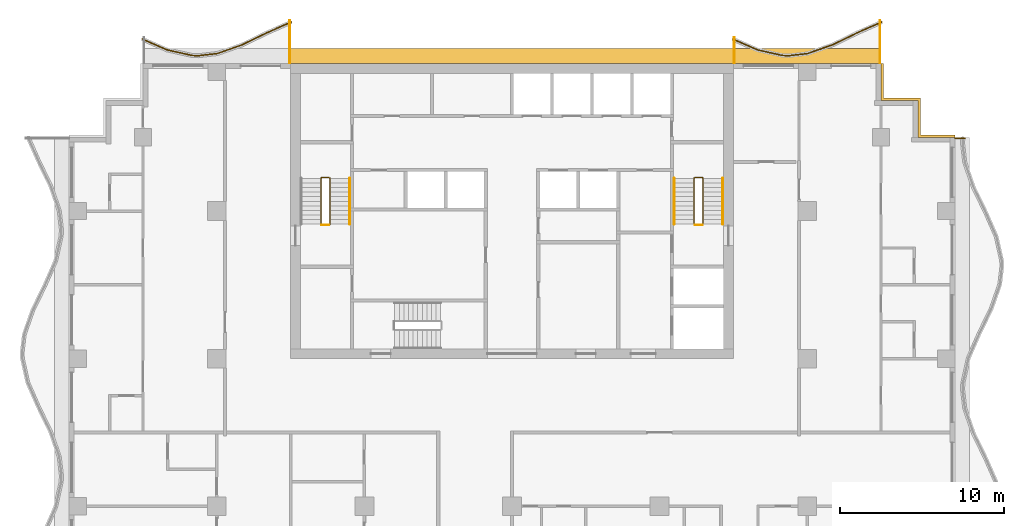
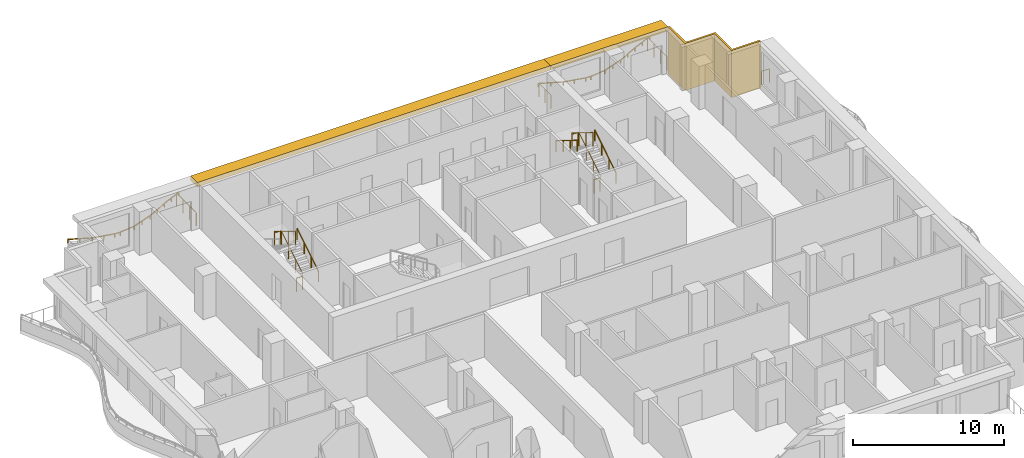
# One storey, part 11 of 11: 13 railings, 3 shading devices.
"""IFC4 building model written with IfcOpenShell, lengths in metres."""

from ifc_helpers import new_model, si_unit, direction, frame, origin, origin_2d, place, context, subcontext, project, spatial, polyline, rectangle, circle, outline, extrude, material, layer, layer_set, type_object, element, save


model = new_model("IFC4")

# Units and contexts
model_context = context("Model", 3, precision=1e-05, world=origin(), true_north=direction((0.0, 1.0)))
body_context = subcontext(model_context, "Body", "Model", "MODEL_VIEW")
ifc_project = project(units=[si_unit("LENGTHUNIT", "METRE"), si_unit("AREAUNIT", "SQUARE_METRE"), si_unit("VOLUMEUNIT", "CUBIC_METRE"), si_unit("PLANEANGLEUNIT", "RADIAN"), si_unit("MASSUNIT", "GRAM", prefix="KILO")], contexts=[model_context])

# Site, building, storey
site_placement = place(None, origin())
site = spatial("IfcSite", under=ifc_project, at=site_placement, CompositionType="ELEMENT")
building_placement = place(site_placement, origin())
building = spatial("IfcBuilding", under=site, at=building_placement, Name="Orbiselva Terraces", CompositionType="ELEMENT")
storey_placement = place(building_placement, frame((0.0, 0.0, 192.0)))
storey = spatial("IfcBuildingStorey", under=building, at=storey_placement, Name="L48", CompositionType="ELEMENT", Elevation=192.0)

# Railings
ifc_material_1 = material(Name="Stainless steel", Category="steel")
railing_type_1 = type_object("IfcRailingType", Name="CORE-GUARD-1100", PredefinedType="GUARDRAIL", material=ifc_material_1)
railing_1_placement = place(storey_placement, frame((-11.1, 12.7, 0.172727)))
element("IfcRailing", 1, at=railing_1_placement, inside=storey, type_object=railing_type_1, Name="L48 S1 stair guard 1", PredefinedType="GUARDRAIL", context=body_context, shape_type="SweptSolid", body=[
    extrude(circle(Radius=0.024, at=origin_2d()), frame((0.0, 0.0, 1.081), z_axis=(0.0, 0.851088519012, 0.52502222125), x_axis=(-1.0, 0.0, 0.0)), (0.0, 0.0, 1.0), 3.289905),
    extrude(circle(Radius=0.024, at=origin_2d()), frame((0.0, 2.8, 2.808273), z_axis=(-0.707106781187, 0.707106781187, 0.0), x_axis=(-0.707106781187, -0.707106781187, 0.0)), (0.0, 0.0, 1.0), 0.070711),
    extrude(circle(Radius=0.024, at=origin_2d()), frame((-0.05, 2.85, 2.808273), z_axis=(-1.0, 0.0, 0.0), x_axis=(0.0, -1.0, 0.0)), (0.0, 0.0, 1.0), 0.45),
    extrude(circle(Radius=0.024, at=origin_2d()), frame((-0.5, 2.85, 2.808273), z_axis=(-0.267894925557, -0.267894925557, 0.925453736133), x_axis=(0.707106781187, -0.707106781187, 0.0)), (0.0, 0.0, 1.0), 0.18664),
    extrude(circle(Radius=0.024, at=origin_2d()), frame((-0.55, 2.8, 2.981), z_axis=(0.0, -0.851088519012, 0.52502222125), x_axis=(1.0, 0.0, 0.0)), (0.0, 0.0, 1.0), 3.289905),
    extrude(circle(Radius=0.021, at=origin_2d()), origin(), (0.0, 0.0, 1.0), 1.057),
    extrude(circle(Radius=0.021, at=origin_2d()), frame((0.0, 0.933333, 0.575758)), (0.0, 0.0, 1.0), 1.057),
    extrude(circle(Radius=0.021, at=origin_2d()), frame((0.0, 1.866667, 1.151515)), (0.0, 0.0, 1.0), 1.057),
    extrude(circle(Radius=0.021, at=origin_2d()), frame((0.0, 2.8, 1.727273)), (0.0, 0.0, 1.0), 1.057),
    extrude(circle(Radius=0.021, at=origin_2d()), frame((-0.05, 2.85, 1.727273)), (0.0, 0.0, 1.0), 1.057),
    extrude(circle(Radius=0.021, at=origin_2d()), frame((-0.5, 2.85, 1.727273)), (0.0, 0.0, 1.0), 1.057),
    extrude(circle(Radius=0.021, at=origin_2d()), frame((-0.55, 2.8, 1.9)), (0.0, 0.0, 1.0), 1.057),
    extrude(circle(Radius=0.021, at=origin_2d()), frame((-0.55, 1.866667, 2.475758)), (0.0, 0.0, 1.0), 1.057),
    extrude(circle(Radius=0.021, at=origin_2d()), frame((-0.55, 0.933333, 3.051515)), (0.0, 0.0, 1.0), 1.057),
    extrude(circle(Radius=0.021, at=origin_2d()), frame((-0.55, 0.0, 3.627273)), (0.0, 0.0, 1.0), 1.057),
])
railing_2_placement = place(storey_placement, frame((-11.15, 12.65, 0.0)))
element("IfcRailing", 2, at=railing_2_placement, inside=storey, type_object=railing_type_1, Name="L48 S1 stair guard 2", PredefinedType="GUARDRAIL", context=body_context, shape_type="SweptSolid", body=[
    extrude(circle(Radius=0.024, at=origin_2d()), frame((0.0, 0.0, 1.081), z_axis=(-1.0, 0.0, 0.0), x_axis=(0.0, -1.0, 0.0)), (0.0, 0.0, 1.0), 0.45),
    extrude(circle(Radius=0.021, at=origin_2d()), origin(), (0.0, 0.0, 1.0), 1.057),
    extrude(circle(Radius=0.021, at=origin_2d()), frame((-0.45, 0.0, 0.0)), (0.0, 0.0, 1.0), 1.057),
])
railing_3_placement = place(storey_placement, frame((11.65, 12.7, 0.172727)))
element("IfcRailing", 3, at=railing_3_placement, inside=storey, type_object=railing_type_1, Name="L48 S2 stair guard 1", PredefinedType="GUARDRAIL", context=body_context, shape_type="SweptSolid", body=[
    extrude(circle(Radius=0.024, at=origin_2d()), frame((0.0, 0.0, 1.081), z_axis=(0.0, 0.851088519012, 0.52502222125), x_axis=(-1.0, 0.0, 0.0)), (0.0, 0.0, 1.0), 3.289905),
    extrude(circle(Radius=0.024, at=origin_2d()), frame((0.0, 2.8, 2.808273), z_axis=(-0.707106781187, 0.707106781187, 0.0), x_axis=(-0.707106781187, -0.707106781187, 0.0)), (0.0, 0.0, 1.0), 0.070711),
    extrude(circle(Radius=0.024, at=origin_2d()), frame((-0.05, 2.85, 2.808273), z_axis=(-1.0, 0.0, 0.0), x_axis=(0.0, -1.0, 0.0)), (0.0, 0.0, 1.0), 0.45),
    extrude(circle(Radius=0.024, at=origin_2d()), frame((-0.5, 2.85, 2.808273), z_axis=(-0.267894925557, -0.267894925557, 0.925453736133), x_axis=(0.707106781187, -0.707106781187, 0.0)), (0.0, 0.0, 1.0), 0.18664),
    extrude(circle(Radius=0.024, at=origin_2d()), frame((-0.55, 2.8, 2.981), z_axis=(0.0, -0.851088519012, 0.52502222125), x_axis=(1.0, 0.0, 0.0)), (0.0, 0.0, 1.0), 3.289905),
    extrude(circle(Radius=0.021, at=origin_2d()), origin(), (0.0, 0.0, 1.0), 1.057),
    extrude(circle(Radius=0.021, at=origin_2d()), frame((0.0, 0.933333, 0.575758)), (0.0, 0.0, 1.0), 1.057),
    extrude(circle(Radius=0.021, at=origin_2d()), frame((0.0, 1.866667, 1.151515)), (0.0, 0.0, 1.0), 1.057),
    extrude(circle(Radius=0.021, at=origin_2d()), frame((0.0, 2.8, 1.727273)), (0.0, 0.0, 1.0), 1.057),
    extrude(circle(Radius=0.021, at=origin_2d()), frame((-0.05, 2.85, 1.727273)), (0.0, 0.0, 1.0), 1.057),
    extrude(circle(Radius=0.021, at=origin_2d()), frame((-0.5, 2.85, 1.727273)), (0.0, 0.0, 1.0), 1.057),
    extrude(circle(Radius=0.021, at=origin_2d()), frame((-0.55, 2.8, 1.9)), (0.0, 0.0, 1.0), 1.057),
    extrude(circle(Radius=0.021, at=origin_2d()), frame((-0.55, 1.866667, 2.475758)), (0.0, 0.0, 1.0), 1.057),
    extrude(circle(Radius=0.021, at=origin_2d()), frame((-0.55, 0.933333, 3.051515)), (0.0, 0.0, 1.0), 1.057),
    extrude(circle(Radius=0.021, at=origin_2d()), frame((-0.55, 0.0, 3.627273)), (0.0, 0.0, 1.0), 1.057),
])
railing_4_placement = place(storey_placement, frame((11.6, 12.65, 0.0)))
element("IfcRailing", 4, at=railing_4_placement, inside=storey, type_object=railing_type_1, Name="L48 S2 stair guard 2", PredefinedType="GUARDRAIL", context=body_context, shape_type="SweptSolid", body=[
    extrude(circle(Radius=0.024, at=origin_2d()), frame((0.0, 0.0, 1.081), z_axis=(-1.0, 0.0, 0.0), x_axis=(0.0, -1.0, 0.0)), (0.0, 0.0, 1.0), 0.45),
    extrude(circle(Radius=0.021, at=origin_2d()), origin(), (0.0, 0.0, 1.0), 1.057),
    extrude(circle(Radius=0.021, at=origin_2d()), frame((-0.45, 0.0, 0.0)), (0.0, 0.0, 1.0), 1.057),
])
railing_type_2 = type_object("IfcRailingType", Name="CORE-HANDRAIL-900", PredefinedType="HANDRAIL", material=ifc_material_1)
for number, where, name in (
    (5, (-9.9, 12.7, 0.172727), "L48 S1 stair handrail 1"),
    (6, (12.85, 12.7, 0.172727), "L48 S2 stair handrail 1"),
):
    element("IfcRailing", number, at=place(storey_placement, frame(where)), inside=storey, type_object=railing_type_2, Name=name, PredefinedType="HANDRAIL", context=body_context, shape_type="SweptSolid", body=[
        extrude(circle(Radius=0.024, at=origin_2d()), frame((0.0, 0.0, 0.876), z_axis=(0.0, 0.851088519012, 0.52502222125), x_axis=(-1.0, 0.0, 0.0)), (0.0, 0.0, 1.0), 3.289905),
        extrude(circle(Radius=0.021, at=origin_2d()), origin(), (0.0, 0.0, 1.0), 0.852),
        extrude(circle(Radius=0.021, at=origin_2d()), frame((0.0, 0.933333, 0.575758)), (0.0, 0.0, 1.0), 0.852),
        extrude(circle(Radius=0.021, at=origin_2d()), frame((0.0, 1.866667, 1.151515)), (0.0, 0.0, 1.0), 0.852),
        extrude(circle(Radius=0.021, at=origin_2d()), frame((0.0, 2.8, 1.727273)), (0.0, 0.0, 1.0), 0.852),
    ])
railing_5_placement = place(storey_placement, frame((9.9, 15.5, 2.072727)))
element("IfcRailing", 7, at=railing_5_placement, inside=storey, type_object=railing_type_2, Name="L48 S2 stair handrail 2", PredefinedType="HANDRAIL", context=body_context, shape_type="SweptSolid", body=[
    extrude(circle(Radius=0.024, at=origin_2d()), frame((0.0, 0.0, 0.876), z_axis=(0.0, -0.851088519012, 0.52502222125), x_axis=(1.0, 0.0, 0.0)), (0.0, 0.0, 1.0), 3.289905),
    extrude(circle(Radius=0.021, at=origin_2d()), origin(), (0.0, 0.0, 1.0), 0.852),
    extrude(circle(Radius=0.021, at=origin_2d()), frame((0.0, -0.933333, 0.575758)), (0.0, 0.0, 1.0), 0.852),
    extrude(circle(Radius=0.021, at=origin_2d()), frame((0.0, -1.866667, 1.151515)), (0.0, 0.0, 1.0), 0.852),
    extrude(circle(Radius=0.021, at=origin_2d()), frame((0.0, -2.8, 1.727273)), (0.0, 0.0, 1.0), 0.852),
])
ifc_material_2 = material(Name="Bonded two-ply safety glass balustrade, stainless steel posts", Category="steel")
railing_type_3 = type_object("IfcRailingType", Name="ENV-BALUSTRADE-1200", PredefinedType="BALUSTRADE", material=ifc_material_2)
railing_6_placement = place(storey_placement, frame((22.550394, 25.034136, 0.9)))
element("IfcRailing", 8, at=railing_6_placement, inside=storey, type_object=railing_type_3, Name="Balcony balustrade L48 NE", PredefinedType="BALUSTRADE", context=body_context, shape_type="SweptSolid", body=[
    extrude(outline(polyline([(0.028868, 0.0), (0.014434, 0.025), (-0.014434, 0.025), (-0.028868, 0.0), (-0.014434, -0.025), (0.014434, -0.025), (0.028868, 0.0)])), frame((0.0, 0.0, 0.275), z_axis=(-0.915133498047, -0.403150940408, 0.0), x_axis=(0.403150940408, -0.915133498047, 0.0)), (0.0, 0.0, 1.0), 1.636648),
    extrude(outline(polyline([(0.028868, 0.0), (0.014434, 0.025), (-0.014434, 0.025), (-0.028868, 0.0), (-0.014434, -0.025), (0.014434, -0.025), (0.028868, 0.0)])), frame((-1.497751, -0.659816, 0.275), z_axis=(-0.898578870221, -0.438812048596, 0.0), x_axis=(0.438812048596, -0.898578870221, 0.0)), (0.0, 0.0, 1.0), 1.674225),
    extrude(outline(polyline([(0.028868, 0.0), (0.014434, 0.025), (-0.014434, 0.025), (-0.028868, 0.0), (-0.014434, -0.025), (0.014434, -0.025), (0.028868, 0.0)])), frame((-3.002174, -1.394486, 0.275), z_axis=(-0.943972332783, -0.330024597479, 0.0), x_axis=(0.330024597479, -0.943972332783, 0.0)), (0.0, 0.0, 1.0), 1.610253),
    extrude(outline(polyline([(0.028868, 0.0), (0.014434, 0.025), (-0.014434, 0.025), (-0.028868, 0.0), (-0.014434, -0.025), (0.014434, -0.025), (0.028868, 0.0)])), frame((-4.522208, -1.925909, 0.275), z_axis=(-0.993309551734, -0.115482182324, 0.0), x_axis=(0.115482182324, -0.993309551734, 0.0)), (0.0, 0.0, 1.0), 1.156135),
    extrude(outline(polyline([(0.028868, 0.0), (0.014434, 0.025), (-0.014434, 0.025), (-0.028868, 0.0), (-0.014434, -0.025), (0.014434, -0.025), (0.028868, 0.0)])), frame((-5.670608, -2.059422, 0.275), z_axis=(-0.999224734286, 0.03936915532, 0.0), x_axis=(-0.03936915532, -0.999224734286, 0.0)), (0.0, 0.0, 1.0), 0.396376),
    extrude(outline(polyline([(0.028868, 0.0), (0.014434, 0.025), (-0.014434, 0.025), (-0.028868, 0.0), (-0.014434, -0.025), (0.014434, -0.025), (0.028868, 0.0)])), frame((-6.066677, -2.043817, 0.275), z_axis=(-0.97572137947, 0.219015500924, 0.0), x_axis=(-0.219015500924, -0.97572137947, 0.0)), (0.0, 0.0, 1.0), 1.560867),
    extrude(outline(polyline([(0.028868, 0.0), (0.014434, 0.025), (-0.014434, 0.025), (-0.028868, 0.0), (-0.014434, -0.025), (0.014434, -0.025), (0.028868, 0.0)])), frame((-7.589648, -1.701963, 0.275), z_axis=(-0.915133578754, 0.403150757208, 0.0), x_axis=(-0.403150757208, -0.915133578754, 0.0)), (0.0, 0.0, 1.0), 1.651278),
    extrude(rectangle(XDim=0.05, YDim=0.05, at=origin_2d()), origin(), (0.0, 0.0, 1.0), 0.25),
    extrude(rectangle(XDim=0.05, YDim=0.05, at=origin_2d()), frame((-0.748876, -0.329908, 0.0)), (0.0, 0.0, 1.0), 0.25),
    extrude(rectangle(XDim=0.05, YDim=0.05, at=origin_2d()), frame((-1.497751, -0.659816, 0.0)), (0.0, 0.0, 1.0), 0.25),
    extrude(rectangle(XDim=0.05, YDim=0.05, at=origin_2d()), frame((-2.249963, -1.027151, 0.0)), (0.0, 0.0, 1.0), 0.25),
    extrude(rectangle(XDim=0.05, YDim=0.05, at=origin_2d()), frame((-3.002174, -1.394486, 0.0)), (0.0, 0.0, 1.0), 0.25),
    extrude(rectangle(XDim=0.05, YDim=0.05, at=origin_2d()), frame((-3.762191, -1.660198, 0.0)), (0.0, 0.0, 1.0), 0.25),
    extrude(rectangle(XDim=0.05, YDim=0.05, at=origin_2d()), frame((-4.522208, -1.925909, 0.0)), (0.0, 0.0, 1.0), 0.25),
    extrude(rectangle(XDim=0.05, YDim=0.05, at=origin_2d()), frame((-5.670608, -2.059422, 0.0)), (0.0, 0.0, 1.0), 0.25),
    extrude(rectangle(XDim=0.05, YDim=0.05, at=origin_2d()), frame((-6.066677, -2.043817, 0.0)), (0.0, 0.0, 1.0), 0.25),
    extrude(rectangle(XDim=0.05, YDim=0.05, at=origin_2d()), frame((-6.828163, -1.87289, 0.0)), (0.0, 0.0, 1.0), 0.25),
    extrude(rectangle(XDim=0.05, YDim=0.05, at=origin_2d()), frame((-7.589648, -1.701963, 0.0)), (0.0, 0.0, 1.0), 0.25),
    extrude(rectangle(XDim=0.05, YDim=0.05, at=origin_2d()), frame((-8.345218, -1.369106, 0.0)), (0.0, 0.0, 1.0), 0.25),
    extrude(rectangle(XDim=0.05, YDim=0.05, at=origin_2d()), frame((-9.100788, -1.036249, 0.0)), (0.0, 0.0, 1.0), 0.25),
])
railing_7_placement = place(storey_placement, frame((-13.449606, 25.034136, 0.9)))
element("IfcRailing", 9, at=railing_7_placement, inside=storey, type_object=railing_type_3, Name="Balcony balustrade L48 NW", PredefinedType="BALUSTRADE", context=body_context, shape_type="SweptSolid", body=[
    extrude(outline(polyline([(0.028868, 0.0), (0.014434, 0.025), (-0.014434, 0.025), (-0.028868, 0.0), (-0.014434, -0.025), (0.014434, -0.025), (0.028868, 0.0)])), frame((0.0, 0.0, 0.275), z_axis=(-0.915133498047, -0.403150940408, 0.0), x_axis=(0.403150940408, -0.915133498047, 0.0)), (0.0, 0.0, 1.0), 1.636648),
    extrude(outline(polyline([(0.028868, 0.0), (0.014434, 0.025), (-0.014434, 0.025), (-0.028868, 0.0), (-0.014434, -0.025), (0.014434, -0.025), (0.028868, 0.0)])), frame((-1.497751, -0.659816, 0.275), z_axis=(-0.898578870221, -0.438812048596, 0.0), x_axis=(0.438812048596, -0.898578870221, 0.0)), (0.0, 0.0, 1.0), 1.674225),
    extrude(outline(polyline([(0.028868, 0.0), (0.014434, 0.025), (-0.014434, 0.025), (-0.028868, 0.0), (-0.014434, -0.025), (0.014434, -0.025), (0.028868, 0.0)])), frame((-3.002174, -1.394486, 0.275), z_axis=(-0.943972332783, -0.330024597479, 0.0), x_axis=(0.330024597479, -0.943972332783, 0.0)), (0.0, 0.0, 1.0), 1.610253),
    extrude(outline(polyline([(0.028868, 0.0), (0.014434, 0.025), (-0.014434, 0.025), (-0.028868, 0.0), (-0.014434, -0.025), (0.014434, -0.025), (0.028868, 0.0)])), frame((-4.522208, -1.925909, 0.275), z_axis=(-0.993309551734, -0.115482182324, 0.0), x_axis=(0.115482182324, -0.993309551734, 0.0)), (0.0, 0.0, 1.0), 1.156135),
    extrude(outline(polyline([(0.028868, 0.0), (0.014434, 0.025), (-0.014434, 0.025), (-0.028868, 0.0), (-0.014434, -0.025), (0.014434, -0.025), (0.028868, 0.0)])), frame((-5.670608, -2.059422, 0.275), z_axis=(-0.999224734286, 0.03936915532, 0.0), x_axis=(-0.03936915532, -0.999224734286, 0.0)), (0.0, 0.0, 1.0), 0.396376),
    extrude(outline(polyline([(0.028868, 0.0), (0.014434, 0.025), (-0.014434, 0.025), (-0.028868, 0.0), (-0.014434, -0.025), (0.014434, -0.025), (0.028868, 0.0)])), frame((-6.066677, -2.043817, 0.275), z_axis=(-0.97572137947, 0.219015500924, 0.0), x_axis=(-0.219015500924, -0.97572137947, 0.0)), (0.0, 0.0, 1.0), 1.560867),
    extrude(outline(polyline([(0.028868, 0.0), (0.014434, 0.025), (-0.014434, 0.025), (-0.028868, 0.0), (-0.014434, -0.025), (0.014434, -0.025), (0.028868, 0.0)])), frame((-7.589648, -1.701963, 0.275), z_axis=(-0.915133578754, 0.403150757208, 0.0), x_axis=(-0.403150757208, -0.915133578754, 0.0)), (0.0, 0.0, 1.0), 1.651278),
    extrude(rectangle(XDim=0.05, YDim=0.05, at=origin_2d()), origin(), (0.0, 0.0, 1.0), 0.25),
    extrude(rectangle(XDim=0.05, YDim=0.05, at=origin_2d()), frame((-0.748876, -0.329908, 0.0)), (0.0, 0.0, 1.0), 0.25),
    extrude(rectangle(XDim=0.05, YDim=0.05, at=origin_2d()), frame((-1.497751, -0.659816, 0.0)), (0.0, 0.0, 1.0), 0.25),
    extrude(rectangle(XDim=0.05, YDim=0.05, at=origin_2d()), frame((-2.249963, -1.027151, 0.0)), (0.0, 0.0, 1.0), 0.25),
    extrude(rectangle(XDim=0.05, YDim=0.05, at=origin_2d()), frame((-3.002174, -1.394486, 0.0)), (0.0, 0.0, 1.0), 0.25),
    extrude(rectangle(XDim=0.05, YDim=0.05, at=origin_2d()), frame((-3.762191, -1.660198, 0.0)), (0.0, 0.0, 1.0), 0.25),
    extrude(rectangle(XDim=0.05, YDim=0.05, at=origin_2d()), frame((-4.522208, -1.925909, 0.0)), (0.0, 0.0, 1.0), 0.25),
    extrude(rectangle(XDim=0.05, YDim=0.05, at=origin_2d()), frame((-5.670608, -2.059422, 0.0)), (0.0, 0.0, 1.0), 0.25),
    extrude(rectangle(XDim=0.05, YDim=0.05, at=origin_2d()), frame((-6.066677, -2.043817, 0.0)), (0.0, 0.0, 1.0), 0.25),
    extrude(rectangle(XDim=0.05, YDim=0.05, at=origin_2d()), frame((-6.828163, -1.87289, 0.0)), (0.0, 0.0, 1.0), 0.25),
    extrude(rectangle(XDim=0.05, YDim=0.05, at=origin_2d()), frame((-7.589648, -1.701963, 0.0)), (0.0, 0.0, 1.0), 0.25),
    extrude(rectangle(XDim=0.05, YDim=0.05, at=origin_2d()), frame((-8.345218, -1.369106, 0.0)), (0.0, 0.0, 1.0), 0.25),
    extrude(rectangle(XDim=0.05, YDim=0.05, at=origin_2d()), frame((-9.100788, -1.036249, 0.0)), (0.0, 0.0, 1.0), 0.25),
])
ifc_material_3 = material(Name="Stainless steel rail and posts", Category="steel")
railing_type_4 = type_object("IfcRailingType", Name="ENV-GUARD-1105", PredefinedType="BALUSTRADE", material=ifc_material_3)
railing_8_placement = place(storey_placement, frame((27.610431, 17.94, 0.0)))
element("IfcRailing", 10, at=railing_8_placement, inside=storey, type_object=railing_type_4, Name="Balcony end guard L48 E", PredefinedType="BALUSTRADE", context=body_context, shape_type="SweptSolid", body=[
    extrude(outline(polyline([(0.028868, 0.0), (0.014434, 0.025), (-0.014434, 0.025), (-0.028868, 0.0), (-0.014434, -0.025), (0.014434, -0.025), (0.028868, 0.0)])), frame((0.0, 0.0, 1.08), z_axis=(-1.0, 0.0, 0.0), x_axis=(0.0, -1.0, 0.0)), (0.0, 0.0, 1.0), 0.585431),
    extrude(rectangle(XDim=0.05, YDim=0.05, at=origin_2d()), origin(), (0.0, 0.0, 1.0), 1.055),
    extrude(rectangle(XDim=0.05, YDim=0.05, at=origin_2d()), frame((-0.585431, 0.0, 0.0)), (0.0, 0.0, 1.0), 1.055),
])
railing_9_placement = place(storey_placement, frame((22.44, 25.126937, 0.0)))
element("IfcRailing", 11, at=railing_9_placement, inside=storey, type_object=railing_type_4, Name="Balcony end guard L48 NE", PredefinedType="BALUSTRADE", context=body_context, shape_type="SweptSolid", body=[
    extrude(outline(polyline([(0.028868, 0.0), (0.014434, 0.025), (-0.014434, 0.025), (-0.028868, 0.0), (-0.014434, -0.025), (0.014434, -0.025), (0.028868, 0.0)])), frame((0.0, 0.0, 1.08), z_axis=(0.0, -1.0, 0.0), x_axis=(1.0, 0.0, 0.0)), (0.0, 0.0, 1.0), 2.601937),
    extrude(rectangle(XDim=0.05, YDim=0.05, at=origin_2d()), origin(), (0.0, 0.0, 1.0), 1.055),
    extrude(rectangle(XDim=0.05, YDim=0.05, at=origin_2d()), frame((0.0, -0.867312, 0.0)), (0.0, 0.0, 1.0), 1.055),
    extrude(rectangle(XDim=0.05, YDim=0.05, at=origin_2d()), frame((0.0, -1.734625, 0.0)), (0.0, 0.0, 1.0), 1.055),
    extrude(rectangle(XDim=0.05, YDim=0.05, at=origin_2d()), frame((0.0, -2.601937, 0.0)), (0.0, 0.0, 1.0), 1.055),
])
railing_10_placement = place(storey_placement, frame((13.56, 24.082553, 0.0)))
element("IfcRailing", 12, at=railing_10_placement, inside=storey, type_object=railing_type_4, Name="Balcony end guard L48 NE", PredefinedType="BALUSTRADE", context=body_context, shape_type="SweptSolid", body=[
    extrude(outline(polyline([(0.028868, 0.0), (0.014434, 0.025), (-0.014434, 0.025), (-0.028868, 0.0), (-0.014434, -0.025), (0.014434, -0.025), (0.028868, 0.0)])), frame((0.0, 0.0, 1.08), z_axis=(0.0, -1.0, 0.0), x_axis=(1.0, 0.0, 0.0)), (0.0, 0.0, 1.0), 1.557553),
    extrude(rectangle(XDim=0.05, YDim=0.05, at=origin_2d()), origin(), (0.0, 0.0, 1.0), 1.055),
    extrude(rectangle(XDim=0.05, YDim=0.05, at=origin_2d()), frame((0.0, -0.778777, 0.0)), (0.0, 0.0, 1.0), 1.055),
    extrude(rectangle(XDim=0.05, YDim=0.05, at=origin_2d()), frame((0.0, -1.557553, 0.0)), (0.0, 0.0, 1.0), 1.055),
])
railing_11_placement = place(storey_placement, frame((-13.56, 25.126937, 0.0)))
element("IfcRailing", 13, at=railing_11_placement, inside=storey, type_object=railing_type_4, Name="Balcony end guard L48 NW", PredefinedType="BALUSTRADE", context=body_context, shape_type="SweptSolid", body=[
    extrude(outline(polyline([(0.028868, 0.0), (0.014434, 0.025), (-0.014434, 0.025), (-0.028868, 0.0), (-0.014434, -0.025), (0.014434, -0.025), (0.028868, 0.0)])), frame((0.0, 0.0, 1.08), z_axis=(0.0, -1.0, 0.0), x_axis=(1.0, 0.0, 0.0)), (0.0, 0.0, 1.0), 2.601937),
    extrude(rectangle(XDim=0.05, YDim=0.05, at=origin_2d()), origin(), (0.0, 0.0, 1.0), 1.055),
    extrude(rectangle(XDim=0.05, YDim=0.05, at=origin_2d()), frame((0.0, -0.867312, 0.0)), (0.0, 0.0, 1.0), 1.055),
    extrude(rectangle(XDim=0.05, YDim=0.05, at=origin_2d()), frame((0.0, -1.734625, 0.0)), (0.0, 0.0, 1.0), 1.055),
    extrude(rectangle(XDim=0.05, YDim=0.05, at=origin_2d()), frame((0.0, -2.601937, 0.0)), (0.0, 0.0, 1.0), 1.055),
])

# Shading devices
ifc_material_4 = material(Name="Terracotta louvre screen", Category="masonry")
ifc_layer_1 = layer(ifc_material_4, 0.15)
ifc_layer_set_1 = layer_set([ifc_layer_1], Name="Terracotta louvre screen")
shading_device_type_1 = type_object("IfcShadingDeviceType", Name="ENV-SCREEN-150", PredefinedType="USERDEFINED", material=ifc_layer_set_1)
shading_device_1_placement = place(storey_placement, frame((0.0, 0.0, -0.3)))
element("IfcShadingDevice", 14, at=shading_device_1_placement, inside=storey, type_object=shading_device_type_1, Name="Louvre screen L48 NE", ObjectType="SCREEN", PredefinedType="USERDEFINED", context=body_context, shape_type="SweptSolid", body=[
    extrude(outline(polyline([(27.0, 18.15), (24.9, 18.15), (24.9, 20.4), (22.65, 20.4), (22.65, 22.5), (22.5, 22.5), (22.5, 20.25), (24.75, 20.25), (24.75, 18.0), (27.0, 18.0), (27.0, 18.15)])), origin(), (0.0, 0.0, 1.0), 3.8),
])
ifc_material_5 = material(Name="Terracotta baguette sunshade", Category="masonry")
ifc_layer_2 = layer(ifc_material_5, 0.35)
ifc_layer_set_2 = layer_set([ifc_layer_2], Name="Terracotta baguette sunshade")
shading_device_type_2 = type_object("IfcShadingDeviceType", Name="ENV-SUNSHADE-900x350", PredefinedType="USERDEFINED", material=ifc_layer_set_2)
shading_device_2_placement = place(storey_placement, frame((0.0, 0.0, 3.15)))
element("IfcShadingDevice", 15, at=shading_device_2_placement, inside=storey, type_object=shading_device_type_2, Name="Sunshade band L48 NE", ObjectType="SUNSHADE", PredefinedType="USERDEFINED", context=body_context, shape_type="SweptSolid", body=[
    extrude(outline(polyline([(22.5, 23.4), (13.5, 23.4), (13.5, 22.5), (22.5, 22.5), (22.5, 23.4)])), origin(), (0.0, 0.0, 1.0), 0.35),
])
shading_device_3_placement = place(storey_placement, frame((0.0, 0.0, 3.15)))
element("IfcShadingDevice", 16, at=shading_device_3_placement, inside=storey, type_object=shading_device_type_2, Name="Sunshade band L48 CORE NORTH", ObjectType="SUNSHADE", PredefinedType="USERDEFINED", context=body_context, shape_type="SweptSolid", body=[
    extrude(outline(polyline([(13.5, 23.4), (-13.5, 23.4), (-13.5, 22.5), (13.5, 22.5), (13.5, 23.4)])), origin(), (0.0, 0.0, 1.0), 0.35),
])

save(model, "model.ifc")
